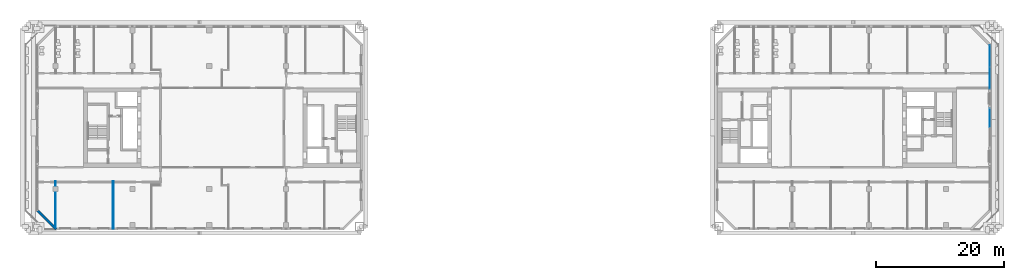
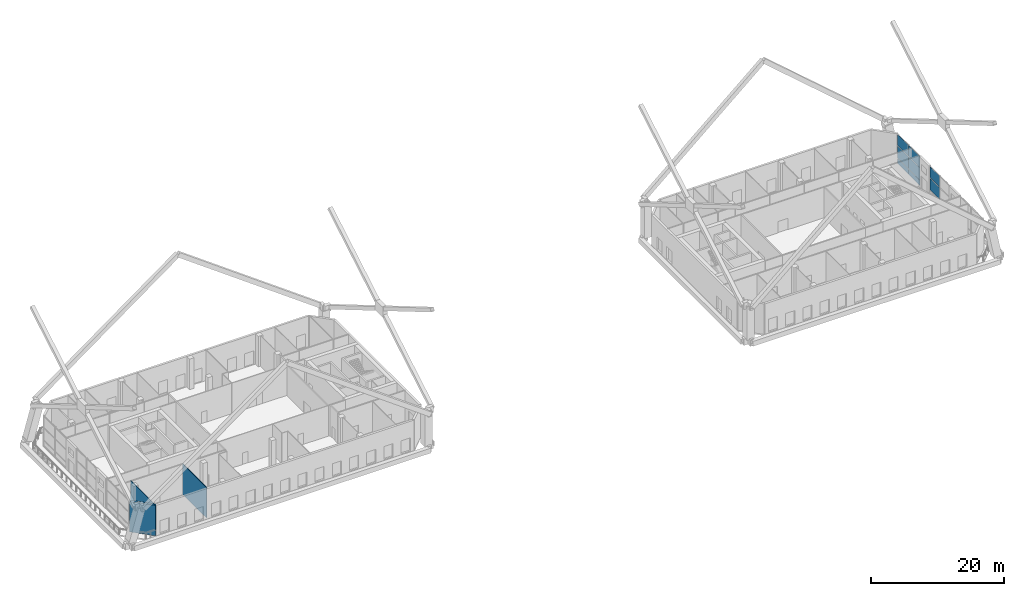
# One storey, part 8 of 20: 8 plates, 3 walls, 2 elements without a shape of their own.
"""IFC4 building model written with IfcOpenShell, lengths in metres."""

import ifcopenshell
import ifcopenshell.guid

model = None  # the IFC model being written
_history = None  # IfcOwnerHistory: only IFC2X3 demands one
_inside = {}  # id of a spatial element -> (the spatial element, [elements in it])
_under = {}  # id of a project, library or spatial element -> (it, [spatial elements below it])
_declared = {}  # id of a project -> (the project, [libraries it declares])
_typed = {}  # id of a type object -> (the type object, [elements of that type])
_made_of = {}  # id of a material, layer set ... -> (it, [elements and type objects made of it])


def new_model(schema):
    """Start an empty IFC model of exactly this schema.

    Asked for "IFC4X3", IfcOpenShell would pick the latest addendum, in which some entities
    have other attributes; the version numbers below select the first issue.
    IFC2X3 requires an IfcOwnerHistory on every rooted entity: one is made here for all.
    """
    global model, _history
    if schema == "IFC4X3":
        model = ifcopenshell.file(schema_version=(4, 3, 0, 0))
    else:
        model = ifcopenshell.file(schema=schema)
    _inside.clear()
    _under.clear()
    _declared.clear()
    _typed.clear()
    _made_of.clear()
    _history = None
    if model.schema == "IFC2X3":
        org = make("IfcOrganization", Name="unknown")
        user = make(
            "IfcPersonAndOrganization",
            ThePerson=make("IfcPerson", FamilyName="unknown"),
            TheOrganization=org,
        )
        app = make(
            "IfcApplication",
            ApplicationDeveloper=org,
            Version="unknown",
            ApplicationFullName="unknown",
            ApplicationIdentifier="unknown",
        )
        _history = make(
            "IfcOwnerHistory",
            OwningUser=user,
            OwningApplication=app,
            ChangeAction="ADDED",
            CreationDate=0,
        )
    return model


def make(cls, **values):
    """One entity of the class cls with the attributes given. An attribute that is None is left unset."""
    return model.create_entity(
        cls, **{name: value for name, value in values.items() if value is not None}
    )


def rooted(cls, **values):
    """An entity with a GlobalId (a new one), such as an element, a storey or a relation."""
    return make(cls, GlobalId=ifcopenshell.guid.new(), OwnerHistory=_history, **values)


def si_unit(unit_type, name, prefix=None):
    """IfcSIUnit, for example si_unit("LENGTHUNIT", "METRE", prefix="MILLI")."""
    return make("IfcSIUnit", UnitType=unit_type, Prefix=prefix, Name=name)


def assignment(units):
    """IfcUnitAssignment: the units of a project."""
    return None if units is None else make("IfcUnitAssignment", Units=units)


def point(xyz):
    """IfcCartesianPoint."""
    return None if xyz is None else make("IfcCartesianPoint", Coordinates=xyz)


def direction(xyz):
    """IfcDirection."""
    return None if xyz is None else make("IfcDirection", DirectionRatios=xyz)


def frame(location, z_axis=None, x_axis=None):
    """IfcAxis2Placement3D, a coordinate frame: its origin and axes. An axis left out is left unset."""
    return make(
        "IfcAxis2Placement3D",
        Location=point(location),
        Axis=direction(z_axis),
        RefDirection=direction(x_axis),
    )


def frame_2d(location, x_axis=None):
    """IfcAxis2Placement2D, a coordinate frame in the plane: its origin and x axis."""
    return make(
        "IfcAxis2Placement2D", Location=point(location), RefDirection=direction(x_axis)
    )


def origin():
    """The frame at (0, 0, 0) with its axes left unset."""
    return frame((0.0, 0.0, 0.0))


def origin_2d():
    """The frame at (0, 0) in the plane with its x axis left unset."""
    return frame_2d((0.0, 0.0))


def place(relative_to, where):
    """IfcLocalPlacement: puts the frame where relative to a parent placement (None: the world)."""
    return make(
        "IfcLocalPlacement", PlacementRelTo=relative_to, RelativePlacement=where
    )


def context(
    kind, dimensions, precision=None, world=None, true_north=None, identifier=None
):
    """IfcGeometricRepresentationContext, for example the 3D "Model" context."""
    return make(
        "IfcGeometricRepresentationContext",
        ContextIdentifier=identifier,
        ContextType=kind,
        CoordinateSpaceDimension=dimensions,
        Precision=precision,
        WorldCoordinateSystem=world,
        TrueNorth=true_north,
    )


def subcontext(parent, identifier, kind, view, scale=None):
    """IfcGeometricRepresentationSubContext, for example "Body" below "Model"."""
    return make(
        "IfcGeometricRepresentationSubContext",
        ContextIdentifier=identifier,
        ContextType=kind,
        ParentContext=parent,
        TargetScale=scale,
        TargetView=view,
    )


def project(units=None, contexts=None):
    """IfcProject with its units and contexts."""
    return rooted(
        "IfcProject",
        Name="project",
        RepresentationContexts=contexts,
        UnitsInContext=assignment(units),
    )


def spatial(cls, under=None, at=None, **own):
    """A site, building, storey or space (cls), placed at a placement, below another one or the project."""
    s = rooted(cls, ObjectPlacement=at, **own)
    if under is not None:
        _under.setdefault(under.id(), (under, []))[1].append(s)
    return s


def profile(cls, at=None, kind="AREA", **sizes):
    """A parametric profile (cls). Its sizes go by their IFC names, for example OverallWidth=200.0."""
    return make(cls, ProfileType=kind, Position=at, **sizes)


def rectangle(**sizes):
    """IfcRectangleProfileDef."""
    return profile("IfcRectangleProfileDef", **sizes)


def extrude(swept, where, along, depth):
    """IfcExtrudedAreaSolid: the profile swept, set in the frame where, extruded along a direction by depth."""
    return make(
        "IfcExtrudedAreaSolid",
        SweptArea=swept,
        Position=where,
        ExtrudedDirection=direction(along),
        Depth=depth,
    )


def shape(context_of_items, identifier, shape_type, items):
    """IfcShapeRepresentation: the items that make up one representation, for example the "Body"."""
    return make(
        "IfcShapeRepresentation",
        ContextOfItems=context_of_items,
        RepresentationIdentifier=identifier,
        RepresentationType=shape_type,
        Items=items,
    )


def material(Name=None, Category=None):
    """IfcMaterial."""
    return make("IfcMaterial", Name=Name, Category=Category)


def layer(
    of_material, thickness, ventilated=None, Name=None, Category=None, Priority=None
):
    """IfcMaterialLayer: one layer of a wall or slab, of a material (None: an air gap)."""
    return make(
        "IfcMaterialLayer",
        Material=of_material,
        LayerThickness=thickness,
        IsVentilated=ventilated,
        Name=Name,
        Category=Category,
        Priority=Priority,
    )


def layer_set(layers, Name=None):
    """IfcMaterialLayerSet."""
    return make("IfcMaterialLayerSet", MaterialLayers=layers, LayerSetName=Name)


def made_of(thing, what):
    """Note that an element or type object is made of a material, layer set ...; save() writes the relation."""
    if what is not None:
        _made_of.setdefault(what.id(), (what, []))[1].append(thing)
    return thing


def type_object(cls, material=None, **own):
    """A type object (cls), such as IfcWallType, which elements share."""
    return made_of(rooted(cls, **own), material)


def element(
    cls,
    number,
    at=None,
    inside=None,
    cuts=None,
    type_object=None,
    material=None,
    context=None,
    identifier="Body",
    shape_type=None,
    held_by="IfcProductDefinitionShape",
    body=None,
    shapes=None,
    **own,
):
    """One element of the class cls, such as IfcWall. Its Tag is "e" and its number.

    at: its placement. inside: the storey or other place that contains it. cuts: it is an
    opening in that element (IfcRelVoidsElement). A single representation is given by context,
    identifier, shape_type and body (its items); several are given by shapes. held_by: the class
    of the entity that holds the representations. save() writes the other relations.
    """
    e = rooted(cls, Tag="e%d" % number, ObjectPlacement=at, **own)
    if body is not None:
        shapes = [shape(context, identifier, shape_type, body)]
    if shapes is not None:
        e.Representation = make(held_by, Representations=shapes)
    if inside is not None:
        _inside.setdefault(inside.id(), (inside, []))[1].append(e)
    if cuts is not None:
        rooted(
            "IfcRelVoidsElement", RelatingBuildingElement=cuts, RelatedOpeningElement=e
        )
    if type_object is not None:
        _typed.setdefault(type_object.id(), (type_object, []))[1].append(e)
    return made_of(e, material)


def aggregate(whole, parts):
    """IfcRelAggregates: a whole, such as a stair, and the parts it consists of."""
    return rooted("IfcRelAggregates", RelatingObject=whole, RelatedObjects=parts)


def save(model, path):
    """Write the relations noted so far, then the file.

    IfcRelAggregates (storeys below a building ...), IfcRelContainedInSpatialStructure (elements
    in a storey), IfcRelDefinesByType, IfcRelAssociatesMaterial and IfcRelDeclares: one each for
    every whole, place, type object, material and project.
    """
    for whole, parts in _under.values():
        aggregate(whole, parts)
    for where, things in _inside.values():
        rooted(
            "IfcRelContainedInSpatialStructure",
            RelatedElements=things,
            RelatingStructure=where,
        )
    for kind, things in _typed.values():
        rooted("IfcRelDefinesByType", RelatedObjects=things, RelatingType=kind)
    for what, things in _made_of.values():
        rooted("IfcRelAssociatesMaterial", RelatedObjects=things, RelatingMaterial=what)
    for by, libraries in _declared.values():
        rooted("IfcRelDeclares", RelatingContext=by, RelatedDefinitions=libraries)
    model.write(path)


model = new_model("IFC4")

# Units and contexts
model_context = context("Model", 3, precision=1e-05, world=origin(), true_north=direction((0.0, 1.0)))
body_context = subcontext(model_context, "Body", "Model", "MODEL_VIEW")
ifc_project = project(units=[si_unit("LENGTHUNIT", "METRE"), si_unit("AREAUNIT", "SQUARE_METRE"), si_unit("VOLUMEUNIT", "CUBIC_METRE"), si_unit("PLANEANGLEUNIT", "RADIAN"), si_unit("MASSUNIT", "GRAM", prefix="KILO")], contexts=[model_context])

# Site, building, storey
site_placement = place(None, origin())
site = spatial("IfcSite", under=ifc_project, at=site_placement, CompositionType="ELEMENT")
building_placement = place(site_placement, origin())
building = spatial("IfcBuilding", under=site, at=building_placement, Name="Tuart Gate Housing", CompositionType="ELEMENT")
storey_placement = place(building_placement, frame((0.0, 0.0, 90.199951171875)))
storey = spatial("IfcBuildingStorey", under=building, at=storey_placement, Name="L25", CompositionType="ELEMENT", Elevation=90.199951171875)

# Curtain wall, plates
ifc_material_1 = material(Name="Aluminium and clear glass", Category="aluminium")
curtain_wall_type = type_object("IfcCurtainWallType", Name="Sky garden front glazing", PredefinedType="USERDEFINED", material=ifc_material_1)
curtain_wall_1_placement = place(storey_placement, origin())
curtain_wall_1 = element("IfcCurtainWall", 1, at=curtain_wall_1_placement, inside=storey, type_object=curtain_wall_type, Name="Sky garden front glazing B-E L25", ObjectType="SKY GARDEN FRONT GLAZING", PredefinedType="USERDEFINED")
ifc_material_2 = material(Name="Clear glass", Category="glass")
ifc_layer_1 = layer(ifc_material_2, 0.028076171875)
ifc_layer_set_1 = layer_set([ifc_layer_1], Name="Glazed panel 28")
plate_type = type_object("IfcPlateType", Name="Glazed panel 28", PredefinedType="CURTAIN_PANEL", material=ifc_layer_set_1)
plate_1_placement = place(storey_placement, frame((173.820068359375, 71.485107421875, 1.16015625), z_axis=(0.0, 0.0, 1.0), x_axis=(0.0, 1.0, 0.0)))
plate_1 = element("IfcPlate", 2, at=plate_1_placement, type_object=plate_type, Name="CW4 panel 2.2", PredefinedType="CURTAIN_PANEL", context=body_context, shape_type="SweptSolid", body=[
    extrude(rectangle(XDim=2.909912109375, YDim=0.028076171875, at=origin_2d()), origin(), (0.0, 0.0, 1.0), 2.179931640625),
])
plate_2_placement = place(storey_placement, frame((173.820068359375, 71.485107421875, 3.4599609375), z_axis=(0.0, 0.0, 1.0), x_axis=(0.0, 1.0, 0.0)))
plate_2 = element("IfcPlate", 3, at=plate_2_placement, type_object=plate_type, Name="CW4 panel 2.3", PredefinedType="CURTAIN_PANEL", context=body_context, shape_type="SweptSolid", body=[
    extrude(rectangle(XDim=2.909912109375, YDim=0.028076171875, at=origin_2d()), origin(), (0.0, 0.0, 1.0), 2.02001953125),
])
aggregate(curtain_wall_1, [plate_1, plate_2])

curtain_wall_2_placement = place(storey_placement, origin())
curtain_wall_2 = element("IfcCurtainWall", 4, at=curtain_wall_2_placement, inside=storey, type_object=curtain_wall_type, Name="Sky garden front glazing B-E L25", ObjectType="SKY GARDEN FRONT GLAZING", PredefinedType="USERDEFINED")
plate_3_placement = place(storey_placement, frame((173.820068359375, 77.746337890625, 0.1201171875), z_axis=(0.0, 0.0, 1.0), x_axis=(0.0, 1.0, 0.0)))
plate_3 = element("IfcPlate", 5, at=plate_3_placement, type_object=plate_type, Name="CW4 panel 1.1", PredefinedType="CURTAIN_PANEL", context=body_context, shape_type="SweptSolid", body=[
    extrude(rectangle(XDim=3.372802734375, YDim=0.028076171875, at=origin_2d()), origin(), (0.0, 0.0, 1.0), 0.919921875),
])
plate_4_placement = place(storey_placement, frame((173.820068359375, 77.746337890625, 1.16015625), z_axis=(0.0, 0.0, 1.0), x_axis=(0.0, 1.0, 0.0)))
plate_4 = element("IfcPlate", 6, at=plate_4_placement, type_object=plate_type, Name="CW4 panel 1.2", PredefinedType="CURTAIN_PANEL", context=body_context, shape_type="SweptSolid", body=[
    extrude(rectangle(XDim=3.372802734375, YDim=0.028076171875, at=origin_2d()), origin(), (0.0, 0.0, 1.0), 2.179931640625),
])
plate_5_placement = place(storey_placement, frame((173.820068359375, 77.746337890625, 3.4599609375), z_axis=(0.0, 0.0, 1.0), x_axis=(0.0, 1.0, 0.0)))
plate_5 = element("IfcPlate", 7, at=plate_5_placement, type_object=plate_type, Name="CW4 panel 1.3", PredefinedType="CURTAIN_PANEL", context=body_context, shape_type="SweptSolid", body=[
    extrude(rectangle(XDim=3.372802734375, YDim=0.028076171875, at=origin_2d()), origin(), (0.0, 0.0, 1.0), 2.02001953125),
])
plate_6_placement = place(storey_placement, frame((173.820068359375, 81.17919921875, 0.1201171875), z_axis=(0.0, 0.0, 1.0), x_axis=(0.0, 1.0, 0.0)))
plate_6 = element("IfcPlate", 8, at=plate_6_placement, type_object=plate_type, Name="CW4 panel 2.1", PredefinedType="CURTAIN_PANEL", context=body_context, shape_type="SweptSolid", body=[
    extrude(rectangle(XDim=3.372802734375, YDim=0.028076171875, at=origin_2d()), origin(), (0.0, 0.0, 1.0), 0.919921875),
])
plate_7_placement = place(storey_placement, frame((173.820068359375, 81.17919921875, 1.16015625), z_axis=(0.0, 0.0, 1.0), x_axis=(0.0, 1.0, 0.0)))
plate_7 = element("IfcPlate", 9, at=plate_7_placement, type_object=plate_type, Name="CW4 panel 2.2", PredefinedType="CURTAIN_PANEL", context=body_context, shape_type="SweptSolid", body=[
    extrude(rectangle(XDim=3.372802734375, YDim=0.028076171875, at=origin_2d()), origin(), (0.0, 0.0, 1.0), 2.179931640625),
])
plate_8_placement = place(storey_placement, frame((173.820068359375, 81.17919921875, 3.4599609375), z_axis=(0.0, 0.0, 1.0), x_axis=(0.0, 1.0, 0.0)))
plate_8 = element("IfcPlate", 10, at=plate_8_placement, type_object=plate_type, Name="CW4 panel 2.3", PredefinedType="CURTAIN_PANEL", context=body_context, shape_type="SweptSolid", body=[
    extrude(rectangle(XDim=3.372802734375, YDim=0.028076171875, at=origin_2d()), origin(), (0.0, 0.0, 1.0), 2.02001953125),
])
aggregate(curtain_wall_2, [plate_3, plate_4, plate_5, plate_6, plate_7, plate_8])

# Walls
ifc_material_3 = material(Name="Brick", Category="masonry")
ifc_layer_2 = layer(ifc_material_3, 0.360107421875)
ifc_layer_set_2 = layer_set([ifc_layer_2], Name="Brick pier and spandrel wall 360")
wall_type_1 = type_object("IfcWallType", Name="Brick pier and spandrel wall 360", PredefinedType="STANDARD", material=ifc_layer_set_2)
wall_1_placement = place(storey_placement, frame((25.179931640625, 57.07470703125, 0.0), z_axis=(0.0, 0.0, 1.0), x_axis=(0.707106781187, -0.707106781187, 0.0)))
element("IfcWall", 11, at=wall_1_placement, inside=storey, type_object=wall_type_1, Name="External wall A-SW L25", PredefinedType="STANDARD", context=body_context, shape_type="SweptSolid", body=[
    extrude(rectangle(XDim=4.09375, YDim=0.360107421875, at=frame_2d((2.046875, 0.0))), origin(), (0.0, 0.0, 1.0), 5.60009765625),
])
ifc_material_4 = material(Name="Gypsum board on steel studs", Category="steel")
ifc_layer_3 = layer(ifc_material_4, 0.10009765625)
ifc_layer_set_3 = layer_set([ifc_layer_3], Name="Partition 100")
wall_type_2 = type_object("IfcWallType", Name="Partition 100", PredefinedType="PARTITIONING", material=ifc_layer_set_3)
wall_2_placement = place(storey_placement, frame((28.0, 54.388916015625, 0.0), z_axis=(0.0, 0.0, 1.0), x_axis=(0.0, 1.0, 0.0)))
element("IfcWall", 12, at=wall_2_placement, inside=storey, type_object=wall_type_2, Name="Partition 100", PredefinedType="PARTITIONING", context=body_context, shape_type="SweptSolid", body=[
    extrude(rectangle(XDim=7.211181640625, YDim=0.10009765625, at=frame_2d((3.60546875, 0.0))), origin(), (0.0, 0.0, 1.0), 5.60009765625),
])
wall_3_placement = place(storey_placement, frame((37.0, 54.239990234375, 0.0), z_axis=(0.0, 0.0, 1.0), x_axis=(0.0, 1.0, 0.0)))
element("IfcWall", 13, at=wall_3_placement, inside=storey, type_object=wall_type_2, Name="Partition 100", PredefinedType="PARTITIONING", context=body_context, shape_type="SweptSolid", body=[
    extrude(rectangle(XDim=7.360107421875, YDim=0.10009765625, at=frame_2d((3.68017578125, 0.0))), origin(), (0.0, 0.0, 1.0), 5.60009765625),
])

save(model, "model.ifc")
